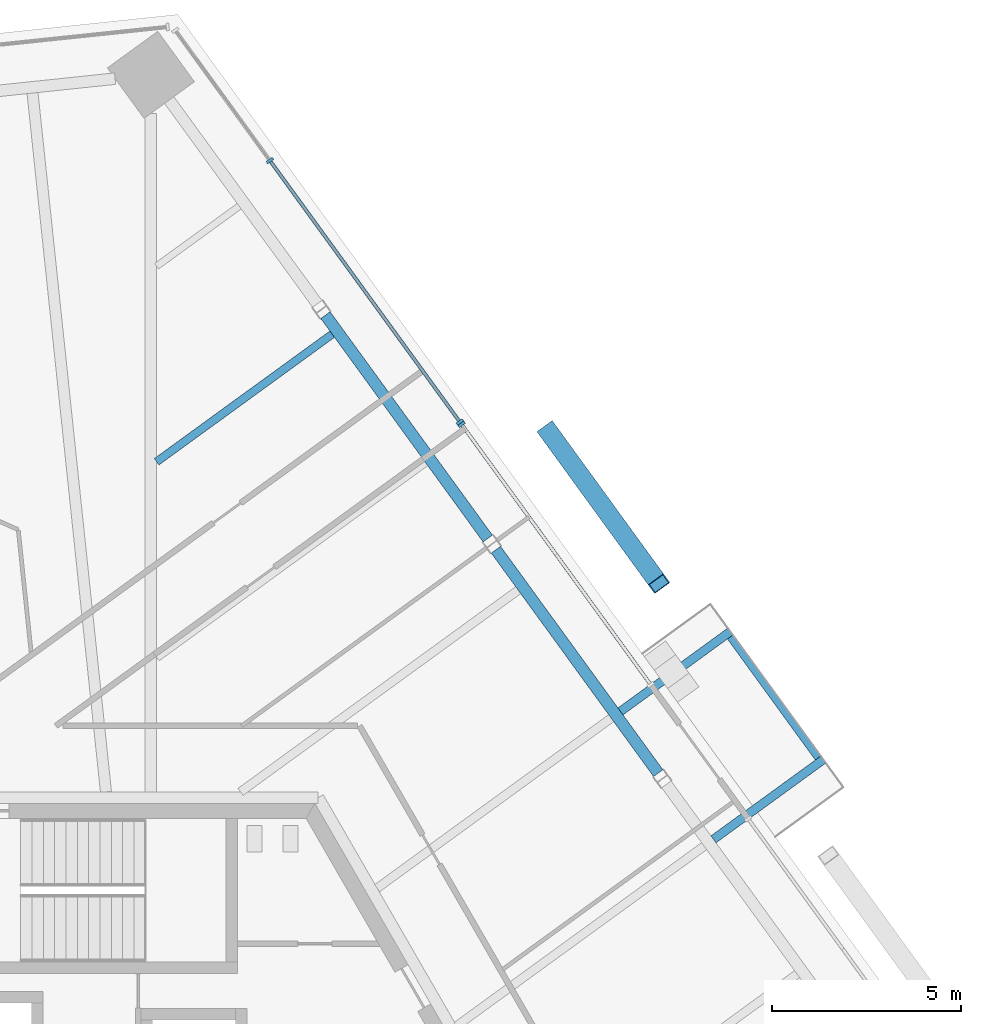
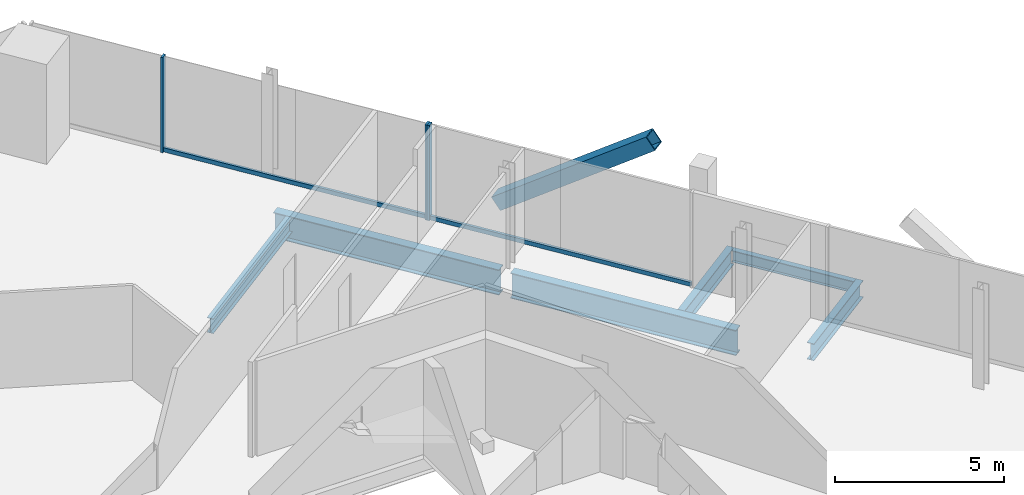
# One storey, part 9 of 18: 6 beams, 6 members, 2 elements without a shape of their own.
"""IFC4 building model written with IfcOpenShell, lengths in metres."""

from ifc_helpers import new_model, si_unit, direction, frame, origin, origin_2d, place, context, subcontext, project, spatial, rectangle, hollow_rectangle, i_section, extrude, source, transform, mapped, material, material_profile, profile_set, type_object, element, aggregate, save


model = new_model("IFC4")

# Units and contexts
model_context = context("Model", 3, precision=1e-05, world=origin(), true_north=direction((0.0, 1.0)))
body_context = subcontext(model_context, "Body", "Model", "MODEL_VIEW")
ifc_project = project(units=[si_unit("LENGTHUNIT", "METRE"), si_unit("AREAUNIT", "SQUARE_METRE"), si_unit("VOLUMEUNIT", "CUBIC_METRE"), si_unit("PLANEANGLEUNIT", "RADIAN"), si_unit("MASSUNIT", "GRAM", prefix="KILO")], contexts=[model_context])

# Site, building, storey
site_placement = place(None, origin())
site = spatial("IfcSite", under=ifc_project, at=site_placement, CompositionType="ELEMENT")
building_placement = place(site_placement, origin())
building = spatial("IfcBuilding", under=site, at=building_placement, Name="Triune Harvest Tower", CompositionType="ELEMENT")
storey_placement = place(building_placement, frame((0.0, 0.0, 230.5)))
storey = spatial("IfcBuildingStorey", under=building, at=storey_placement, Name="L60", CompositionType="ELEMENT", Elevation=230.5)

# Beams
ifc_material_1 = material(Name="Steel ASTM A992 Gr 50", Category="steel")
ifc_material_profile_1 = material_profile(ifc_material_1, i_section(OverallWidth=0.3046875, OverallDepth=0.914306640625, WebThickness=0.0166015625, FlangeThickness=0.02587890625, at=origin_2d()), Name="W36x160")
ifc_profile_set_1 = profile_set([ifc_material_profile_1], Name="Steel ASTM A992 Gr 50")
beam_type_1 = type_object("IfcBeamType", Name="SB-1 Spandrel beam W36x160", PredefinedType="SPANDREL", material=ifc_profile_set_1)
shared_shape_1 = source(origin(), body_context, "Body", "SweptSolid", [
    extrude(i_section(OverallWidth=0.3046875, OverallDepth=0.914306640625, WebThickness=0.0166015625, FlangeThickness=0.02587890625, at=origin_2d()), origin(), (0.0, 0.0, 1.0), 7.31103515625),
])
for number, where, z_axis, x_axis, name in (
    (1, (15.091552734375, 11.1923828125, -0.6171875), (-0.587786436325, 0.809016134124, 0.0), (-0.809016134124, -0.587786436325, 0.0), "beam/L60/SB4"),
    (2, (10.57763671875, 17.405029296875, -0.6171875), (-0.587786436325, 0.809016134124, 0.0), (-0.809016134124, -0.587786436325, 0.0), "beam/L60/SB5"),
):
    element("IfcBeam", number, at=place(storey_placement, frame(where, z_axis=z_axis, x_axis=x_axis)), inside=storey, type_object=beam_type_1, Name=name, PredefinedType="SPANDREL", context=body_context, shape_type="MappedRepresentation", body=[
        mapped(shared_shape_1, transform((0.0, 0.0, 0.0), scale=1.0)),
    ])
ifc_material_2 = material(Name="Steel ASTM A992 Gr 50", Category="steel")
ifc_material_profile_2 = material_profile(ifc_material_2, i_section(OverallWidth=0.2099609375, OverallDepth=0.535888671875, WebThickness=0.010986328125, FlangeThickness=0.017333984375, at=origin_2d()), Name="W21x68")
ifc_profile_set_2 = profile_set([ifc_material_profile_2], Name="Steel ASTM A992 Gr 50")
beam_type_2 = type_object("IfcBeamType", Name="JT-2 Floor joist W21x68", PredefinedType="JOIST", material=ifc_profile_set_2)
shared_shape_2 = source(origin(), body_context, "Body", "SweptSolid", [
    extrude(i_section(OverallWidth=0.2099609375, OverallDepth=0.535888671875, WebThickness=0.010986328125, FlangeThickness=0.017333984375, at=origin_2d()), origin(), (0.0, 0.0, 1.0), 5.745849609375),
])
beam_1_placement = place(storey_placement, frame((6.458984375, 22.814453125, -0.427978515625), z_axis=(-0.809024464979, -0.587774969751, 0.0), x_axis=(0.587774969751, -0.809024464979, 0.0)))
element("IfcBeam", 3, at=beam_1_placement, inside=storey, type_object=beam_type_2, Name="beam/L60/JT9", PredefinedType="JOIST", context=body_context, shape_type="MappedRepresentation", body=[
    mapped(shared_shape_2, transform((0.0, 0.0, 0.0), scale=1.0)),
])

# Member
ifc_material_3 = material(Name="Steel ASTM A572 Gr 50", Category="steel")
ifc_material_profile_3 = material_profile(ifc_material_3, hollow_rectangle(XDim=0.5, YDim=0.5, WallThickness=0.030029296875, at=origin_2d()), Name="Box 500x500x30")
ifc_profile_set_3 = profile_set([ifc_material_profile_3], Name="Steel ASTM A572 Gr 50")
member_type_1 = type_object("IfcMemberType", Name="BR-3 Brace Box 500x500x30", PredefinedType="BRACE", material=ifc_profile_set_3)
shared_shape_3 = source(origin(), body_context, "Body", "SweptSolid", [
    extrude(hollow_rectangle(XDim=0.5, YDim=0.5, WallThickness=0.030029296875, at=origin_2d()), origin(), (0.0, 0.0, 1.0), 6.1708984375),
])
member_1_placement = place(storey_placement, frame((12.166748046875, 20.262939453125, 0.0), z_axis=(0.477406974246, -0.657062652547, 0.58339630747), x_axis=(0.809003519911, 0.587803797854, 0.0)))
element("IfcMember", 4, at=member_1_placement, inside=storey, type_object=member_type_1, Name="brace/B6-F1/d2/4", PredefinedType="BRACE", context=body_context, shape_type="MappedRepresentation", body=[
    mapped(shared_shape_3, transform((0.0, 0.0, 0.0), scale=1.0)),
])

# Curtain wall, member
ifc_material_4 = material(Name="Aluminium bronze anodised", Category="aluminium")
curtain_wall_type_1 = type_object("IfcCurtainWallType", Name="CW-10 Balcony window wall with insulated spandrel infill", PredefinedType="NOTDEFINED", material=ifc_material_4)
curtain_wall_1_placement = place(storey_placement, origin())
curtain_wall_1 = element("IfcCurtainWall", 5, at=curtain_wall_1_placement, inside=storey, type_object=curtain_wall_type_1, Name="CW-10 B6-F1 L60 run 2")
ifc_material_5 = material(Name="Aluminium bronze anodised", Category="aluminium")
ifc_material_profile_4 = material_profile(ifc_material_5, rectangle(XDim=0.199951171875, YDim=0.074951171875, at=origin_2d()), Name="MU-6 mullion 75 x 200")
ifc_profile_set_4 = profile_set([ifc_material_profile_4], Name="Aluminium bronze anodised")
member_type_2 = type_object("IfcMemberType", Name="MU-6 mullion 75 x 200", PredefinedType="MULLION", material=ifc_profile_set_4)
shared_shape_4 = source(origin(), body_context, "Body", "SweptSolid", [
    extrude(rectangle(XDim=0.199951171875, YDim=0.074951171875, at=origin_2d()), origin(), (0.0, 0.0, 1.0), 3.43994140625),
])
member_2_placement = place(storey_placement, frame((9.883544921875, 20.428466796875, 0.0), z_axis=(0.0, 0.0, 1.0), x_axis=(-0.809017635651, -0.58778436965, 0.0)))
member_2 = element("IfcMember", 6, at=member_2_placement, type_object=member_type_2, Name="CW-10 mullion B6-F1 2.3", PredefinedType="MULLION", context=body_context, shape_type="MappedRepresentation", body=[
    mapped(shared_shape_4, transform((0.0, 0.0, 0.0), scale=1.0)),
])

# Curtain wall, members
ifc_material_6 = material(Name="Aluminium bronze anodised", Category="aluminium")
curtain_wall_type_2 = type_object("IfcCurtainWallType", Name="CW-6 Balcony window wall", PredefinedType="NOTDEFINED", material=ifc_material_6)
curtain_wall_2_placement = place(storey_placement, origin())
curtain_wall_2 = element("IfcCurtainWall", 7, at=curtain_wall_2_placement, inside=storey, type_object=curtain_wall_type_2, Name="CW-6 B6-F1 L60 run 1002")
member_3_placement = place(storey_placement, frame((9.839599609375, 20.489013671875, 0.0), z_axis=(0.0, 0.0, 1.0), x_axis=(-0.809016058557, -0.587786540333, 0.0)))
member_3 = element("IfcMember", 8, at=member_3_placement, type_object=member_type_2, Name="CW-6 mullion B6-F1 1002.1", PredefinedType="MULLION", context=body_context, shape_type="MappedRepresentation", body=[
    mapped(shared_shape_4, transform((0.0, 0.0, 0.0), scale=1.0)),
])
member_4_placement = place(storey_placement, frame((4.80859375, 27.41357421875, 0.0), z_axis=(0.0, 0.0, 1.0), x_axis=(-0.809016058557, -0.587786540333, 0.0)))
member_4 = element("IfcMember", 9, at=member_4_placement, type_object=member_type_2, Name="CW-6 mullion B6-F1 1002.3", PredefinedType="MULLION", context=body_context, shape_type="MappedRepresentation", body=[
    mapped(shared_shape_4, transform((0.0, 0.0, 0.0), scale=1.0)),
])

# Beams
ifc_material_7 = material(Name="Steel ASTM A992 Gr 50", Category="steel")
ifc_material_profile_5 = material_profile(ifc_material_7, i_section(OverallWidth=0.22900390625, OverallDepth=0.612060546875, WebThickness=0.011962890625, FlangeThickness=0.01953125, at=origin_2d()), Name="W24x84")
ifc_profile_set_5 = profile_set([ifc_material_profile_5], Name="Steel ASTM A992 Gr 50")
beam_type_3 = type_object("IfcBeamType", Name="BJ-3 Balcony cantilever joist W24x84", PredefinedType="JOIST", material=ifc_profile_set_5)
shared_shape_5 = source(origin(), body_context, "Body", "SweptSolid", [
    extrude(i_section(OverallWidth=0.22900390625, OverallDepth=0.612060546875, WebThickness=0.011962890625, FlangeThickness=0.01953125, at=origin_2d()), origin(), (0.0, 0.0, 1.0), 3.59765625),
])
beam_2_placement = place(storey_placement, frame((14.092041015625, 12.8271484375, -0.466064453125), z_axis=(0.809011831954, 0.58779235769, 0.0), x_axis=(-0.58779235769, 0.809011831954, 0.0)))
element("IfcBeam", 10, at=beam_2_placement, inside=storey, type_object=beam_type_3, Name="Balcony cantilever joist B6-F1 L60.6a", PredefinedType="JOIST", context=body_context, shape_type="MappedRepresentation", body=[
    mapped(shared_shape_5, transform((0.0, 0.0, 0.0), scale=1.0)),
])
shared_shape_6 = source(origin(), body_context, "Body", "SweptSolid", [
    extrude(i_section(OverallWidth=0.22900390625, OverallDepth=0.612060546875, WebThickness=0.011962890625, FlangeThickness=0.01953125, at=origin_2d()), origin(), (0.0, 0.0, 1.0), 3.597412109375),
])
beam_3_placement = place(storey_placement, frame((16.55419921875, 9.4384765625, -0.466064453125), z_axis=(0.809020656446, 0.587780211851, 0.0), x_axis=(-0.587780211851, 0.809020656446, 0.0)))
element("IfcBeam", 11, at=beam_3_placement, inside=storey, type_object=beam_type_3, Name="Balcony cantilever joist B6-F1 L60.6b", PredefinedType="JOIST", context=body_context, shape_type="MappedRepresentation", body=[
    mapped(shared_shape_6, transform((0.0, 0.0, 0.0), scale=1.0)),
])
ifc_material_8 = material(Name="Steel ASTM A992 Gr 50", Category="steel")
ifc_material_profile_6 = material_profile(ifc_material_8, i_section(OverallWidth=0.180908203125, OverallDepth=0.41650390625, WebThickness=0.010986328125, FlangeThickness=0.01806640625, at=origin_2d()), Name="W16x57")
ifc_profile_set_6 = profile_set([ifc_material_profile_6], Name="Steel ASTM A992 Gr 50")
beam_type_4 = type_object("IfcBeamType", Name="BE-1 balcony edge beam W16x57", PredefinedType="BEAM", material=ifc_profile_set_6)
shared_shape_7 = source(origin(), body_context, "Body", "SweptSolid", [
    extrude(i_section(OverallWidth=0.180908203125, OverallDepth=0.41650390625, WebThickness=0.010986328125, FlangeThickness=0.01806640625, at=origin_2d()), origin(), (0.0, 0.0, 1.0), 3.959716796875),
])
beam_4_placement = place(storey_placement, frame((16.996826171875, 14.796142578125, -0.368408203125), z_axis=(0.587757365392, -0.80903725466, 0.0), x_axis=(0.80903725466, 0.587757365392, 0.0)))
element("IfcBeam", 12, at=beam_4_placement, inside=storey, type_object=beam_type_4, Name="Balcony edge beam B6-F1 L60.6", PredefinedType="BEAM", context=body_context, shape_type="MappedRepresentation", body=[
    mapped(shared_shape_7, transform((0.0, 0.0, 0.0), scale=1.0)),
])

# Member
ifc_material_9 = material(Name="Aluminium bronze anodised", Category="aluminium")
ifc_material_profile_7 = material_profile(ifc_material_9, rectangle(XDim=0.090087890625, YDim=0.14990234375, at=origin_2d()), Name="TR-6 transom 90 x 150")
ifc_profile_set_7 = profile_set([ifc_material_profile_7], Name="Aluminium bronze anodised")
member_type_3 = type_object("IfcMemberType", Name="TR-6 transom 90 x 150", PredefinedType="USERDEFINED", material=ifc_profile_set_7)
shared_shape_8 = source(origin(), body_context, "Body", "SweptSolid", [
    extrude(rectangle(XDim=0.090087890625, YDim=0.14990234375, at=origin_2d()), origin(), (0.0, 0.0, 1.0), 8.484375),
])
member_5_placement = place(storey_placement, frame((9.817626953125, 20.519287109375, 0.074951171875), z_axis=(-0.587790089219, 0.80901348012, 0.0), x_axis=(-0.80901348012, -0.587790089219, 0.0)))
member_5 = element("IfcMember", 13, at=member_5_placement, type_object=member_type_3, Name="CW-6 transom B6-F1 1002.1", ObjectType="TRANSOM", PredefinedType="USERDEFINED", context=body_context, shape_type="MappedRepresentation", body=[
    mapped(shared_shape_8, transform((0.0, 0.0, 0.0), scale=1.0)),
])

aggregate(curtain_wall_2, [member_3, member_4, member_5])

shared_shape_9 = source(origin(), body_context, "Body", "SweptSolid", [
    extrude(rectangle(XDim=0.090087890625, YDim=0.14990234375, at=origin_2d()), origin(), (0.0, 0.0, 1.0), 8.44677734375),
])
member_6_placement = place(storey_placement, frame((14.87060546875, 13.564453125, 0.074951171875), z_axis=(-0.587786664334, 0.809015968465, 0.0), x_axis=(-0.809015968465, -0.587786664334, 0.0)))
member_6 = element("IfcMember", 14, at=member_6_placement, type_object=member_type_3, Name="CW-10 transom B6-F1 2.1", ObjectType="TRANSOM", PredefinedType="USERDEFINED", context=body_context, shape_type="MappedRepresentation", body=[
    mapped(shared_shape_9, transform((0.0, 0.0, 0.0), scale=1.0)),
])

aggregate(curtain_wall_1, [member_2, member_6])

save(model, "model.ifc")
